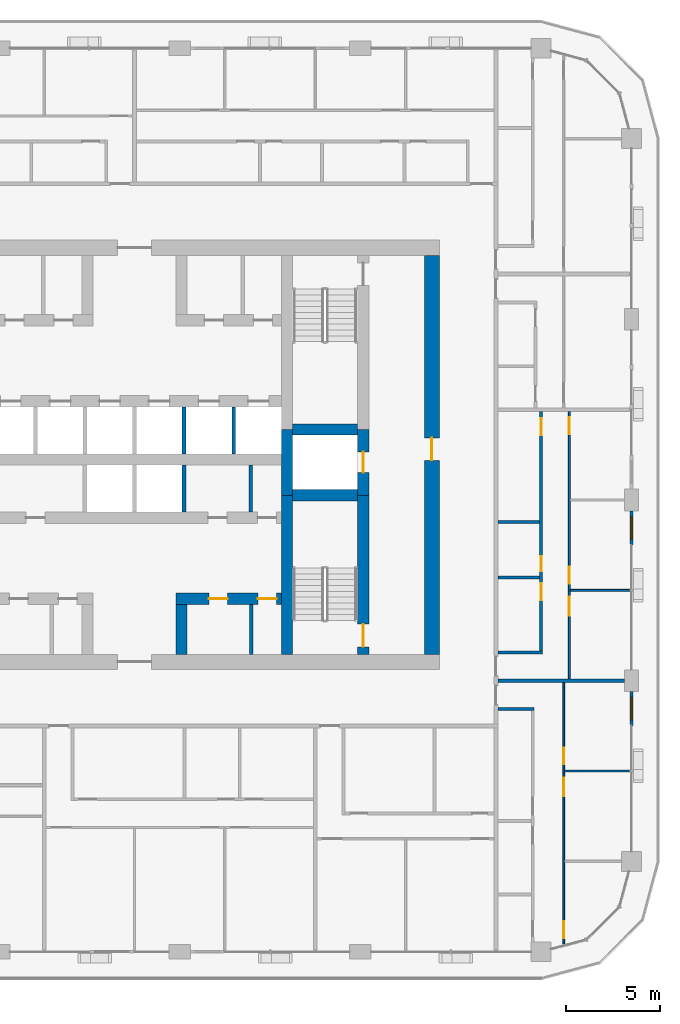
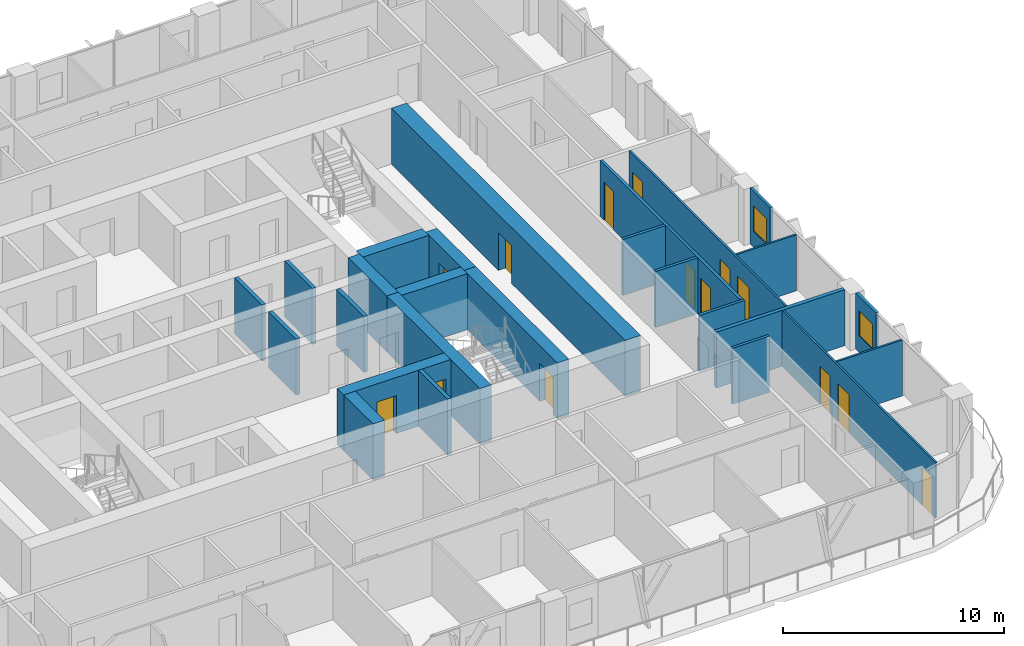
# One storey, part 12 of 22: 26 walls, 14 doors, 2 windows, 16 openings.
"""IFC4 building model written with IfcOpenShell, lengths in metres."""

import ifcopenshell
import ifcopenshell.guid

model = None  # the IFC model being written
_history = None  # IfcOwnerHistory: only IFC2X3 demands one
_inside = {}  # id of a spatial element -> (the spatial element, [elements in it])
_under = {}  # id of a project, library or spatial element -> (it, [spatial elements below it])
_declared = {}  # id of a project -> (the project, [libraries it declares])
_typed = {}  # id of a type object -> (the type object, [elements of that type])
_made_of = {}  # id of a material, layer set ... -> (it, [elements and type objects made of it])


def new_model(schema):
    """Start an empty IFC model of exactly this schema.

    Asked for "IFC4X3", IfcOpenShell would pick the latest addendum, in which some entities
    have other attributes; the version numbers below select the first issue.
    IFC2X3 requires an IfcOwnerHistory on every rooted entity: one is made here for all.
    """
    global model, _history
    if schema == "IFC4X3":
        model = ifcopenshell.file(schema_version=(4, 3, 0, 0))
    else:
        model = ifcopenshell.file(schema=schema)
    _inside.clear()
    _under.clear()
    _declared.clear()
    _typed.clear()
    _made_of.clear()
    _history = None
    if model.schema == "IFC2X3":
        org = make("IfcOrganization", Name="unknown")
        user = make(
            "IfcPersonAndOrganization",
            ThePerson=make("IfcPerson", FamilyName="unknown"),
            TheOrganization=org,
        )
        app = make(
            "IfcApplication",
            ApplicationDeveloper=org,
            Version="unknown",
            ApplicationFullName="unknown",
            ApplicationIdentifier="unknown",
        )
        _history = make(
            "IfcOwnerHistory",
            OwningUser=user,
            OwningApplication=app,
            ChangeAction="ADDED",
            CreationDate=0,
        )
    return model


def make(cls, **values):
    """One entity of the class cls with the attributes given. An attribute that is None is left unset."""
    return model.create_entity(
        cls, **{name: value for name, value in values.items() if value is not None}
    )


def rooted(cls, **values):
    """An entity with a GlobalId (a new one), such as an element, a storey or a relation."""
    return make(cls, GlobalId=ifcopenshell.guid.new(), OwnerHistory=_history, **values)


def si_unit(unit_type, name, prefix=None):
    """IfcSIUnit, for example si_unit("LENGTHUNIT", "METRE", prefix="MILLI")."""
    return make("IfcSIUnit", UnitType=unit_type, Prefix=prefix, Name=name)


def assignment(units):
    """IfcUnitAssignment: the units of a project."""
    return None if units is None else make("IfcUnitAssignment", Units=units)


def point(xyz):
    """IfcCartesianPoint."""
    return None if xyz is None else make("IfcCartesianPoint", Coordinates=xyz)


def direction(xyz):
    """IfcDirection."""
    return None if xyz is None else make("IfcDirection", DirectionRatios=xyz)


def frame(location, z_axis=None, x_axis=None):
    """IfcAxis2Placement3D, a coordinate frame: its origin and axes. An axis left out is left unset."""
    return make(
        "IfcAxis2Placement3D",
        Location=point(location),
        Axis=direction(z_axis),
        RefDirection=direction(x_axis),
    )


def frame_2d(location, x_axis=None):
    """IfcAxis2Placement2D, a coordinate frame in the plane: its origin and x axis."""
    return make(
        "IfcAxis2Placement2D", Location=point(location), RefDirection=direction(x_axis)
    )


def origin():
    """The frame at (0, 0, 0) with its axes left unset."""
    return frame((0.0, 0.0, 0.0))


def place(relative_to, where):
    """IfcLocalPlacement: puts the frame where relative to a parent placement (None: the world)."""
    return make(
        "IfcLocalPlacement", PlacementRelTo=relative_to, RelativePlacement=where
    )


def context(
    kind, dimensions, precision=None, world=None, true_north=None, identifier=None
):
    """IfcGeometricRepresentationContext, for example the 3D "Model" context."""
    return make(
        "IfcGeometricRepresentationContext",
        ContextIdentifier=identifier,
        ContextType=kind,
        CoordinateSpaceDimension=dimensions,
        Precision=precision,
        WorldCoordinateSystem=world,
        TrueNorth=true_north,
    )


def subcontext(parent, identifier, kind, view, scale=None):
    """IfcGeometricRepresentationSubContext, for example "Body" below "Model"."""
    return make(
        "IfcGeometricRepresentationSubContext",
        ContextIdentifier=identifier,
        ContextType=kind,
        ParentContext=parent,
        TargetScale=scale,
        TargetView=view,
    )


def project(units=None, contexts=None):
    """IfcProject with its units and contexts."""
    return rooted(
        "IfcProject",
        Name="project",
        RepresentationContexts=contexts,
        UnitsInContext=assignment(units),
    )


def spatial(cls, under=None, at=None, **own):
    """A site, building, storey or space (cls), placed at a placement, below another one or the project."""
    s = rooted(cls, ObjectPlacement=at, **own)
    if under is not None:
        _under.setdefault(under.id(), (under, []))[1].append(s)
    return s


def profile(cls, at=None, kind="AREA", **sizes):
    """A parametric profile (cls). Its sizes go by their IFC names, for example OverallWidth=200.0."""
    return make(cls, ProfileType=kind, Position=at, **sizes)


def rectangle(**sizes):
    """IfcRectangleProfileDef."""
    return profile("IfcRectangleProfileDef", **sizes)


def extrude(swept, where, along, depth):
    """IfcExtrudedAreaSolid: the profile swept, set in the frame where, extruded along a direction by depth."""
    return make(
        "IfcExtrudedAreaSolid",
        SweptArea=swept,
        Position=where,
        ExtrudedDirection=direction(along),
        Depth=depth,
    )


def shape(context_of_items, identifier, shape_type, items):
    """IfcShapeRepresentation: the items that make up one representation, for example the "Body"."""
    return make(
        "IfcShapeRepresentation",
        ContextOfItems=context_of_items,
        RepresentationIdentifier=identifier,
        RepresentationType=shape_type,
        Items=items,
    )


def material(Name=None, Category=None):
    """IfcMaterial."""
    return make("IfcMaterial", Name=Name, Category=Category)


def layer(
    of_material, thickness, ventilated=None, Name=None, Category=None, Priority=None
):
    """IfcMaterialLayer: one layer of a wall or slab, of a material (None: an air gap)."""
    return make(
        "IfcMaterialLayer",
        Material=of_material,
        LayerThickness=thickness,
        IsVentilated=ventilated,
        Name=Name,
        Category=Category,
        Priority=Priority,
    )


def layer_set(layers, Name=None):
    """IfcMaterialLayerSet."""
    return make("IfcMaterialLayerSet", MaterialLayers=layers, LayerSetName=Name)


def made_of(thing, what):
    """Note that an element or type object is made of a material, layer set ...; save() writes the relation."""
    if what is not None:
        _made_of.setdefault(what.id(), (what, []))[1].append(thing)
    return thing


def type_object(cls, material=None, **own):
    """A type object (cls), such as IfcWallType, which elements share."""
    return made_of(rooted(cls, **own), material)


def element(
    cls,
    number,
    at=None,
    inside=None,
    cuts=None,
    type_object=None,
    material=None,
    context=None,
    identifier="Body",
    shape_type=None,
    held_by="IfcProductDefinitionShape",
    body=None,
    shapes=None,
    **own,
):
    """One element of the class cls, such as IfcWall. Its Tag is "e" and its number.

    at: its placement. inside: the storey or other place that contains it. cuts: it is an
    opening in that element (IfcRelVoidsElement). A single representation is given by context,
    identifier, shape_type and body (its items); several are given by shapes. held_by: the class
    of the entity that holds the representations. save() writes the other relations.
    """
    e = rooted(cls, Tag="e%d" % number, ObjectPlacement=at, **own)
    if body is not None:
        shapes = [shape(context, identifier, shape_type, body)]
    if shapes is not None:
        e.Representation = make(held_by, Representations=shapes)
    if inside is not None:
        _inside.setdefault(inside.id(), (inside, []))[1].append(e)
    if cuts is not None:
        rooted(
            "IfcRelVoidsElement", RelatingBuildingElement=cuts, RelatedOpeningElement=e
        )
    if type_object is not None:
        _typed.setdefault(type_object.id(), (type_object, []))[1].append(e)
    return made_of(e, material)


def fill(opening, filler):
    """IfcRelFillsElement: the door or window that sits in an opening."""
    return rooted(
        "IfcRelFillsElement",
        RelatingOpeningElement=opening,
        RelatedBuildingElement=filler,
    )


def aggregate(whole, parts):
    """IfcRelAggregates: a whole, such as a stair, and the parts it consists of."""
    return rooted("IfcRelAggregates", RelatingObject=whole, RelatedObjects=parts)


def save(model, path):
    """Write the relations noted so far, then the file.

    IfcRelAggregates (storeys below a building ...), IfcRelContainedInSpatialStructure (elements
    in a storey), IfcRelDefinesByType, IfcRelAssociatesMaterial and IfcRelDeclares: one each for
    every whole, place, type object, material and project.
    """
    for whole, parts in _under.values():
        aggregate(whole, parts)
    for where, things in _inside.values():
        rooted(
            "IfcRelContainedInSpatialStructure",
            RelatedElements=things,
            RelatingStructure=where,
        )
    for kind, things in _typed.values():
        rooted("IfcRelDefinesByType", RelatedObjects=things, RelatingType=kind)
    for what, things in _made_of.values():
        rooted("IfcRelAssociatesMaterial", RelatedObjects=things, RelatingMaterial=what)
    for by, libraries in _declared.values():
        rooted("IfcRelDeclares", RelatingContext=by, RelatedDefinitions=libraries)
    model.write(path)


model = new_model("IFC4")

# Units and contexts
model_context = context("Model", 3, precision=1e-05, world=origin(), true_north=direction((0.0, 1.0)))
body_context = subcontext(model_context, "Body", "Model", "MODEL_VIEW")
ifc_project = project(units=[si_unit("LENGTHUNIT", "METRE"), si_unit("AREAUNIT", "SQUARE_METRE"), si_unit("VOLUMEUNIT", "CUBIC_METRE"), si_unit("PLANEANGLEUNIT", "RADIAN"), si_unit("MASSUNIT", "GRAM", prefix="KILO")], contexts=[model_context])

# Site, building, storey
site_placement = place(None, origin())
site = spatial("IfcSite", under=ifc_project, at=site_placement, CompositionType="ELEMENT")
building_placement = place(site_placement, origin())
building = spatial("IfcBuilding", under=site, at=building_placement, Name="Madar Terraces", CompositionType="ELEMENT")
storey_placement = place(building_placement, frame((0.0, 0.0, 170.0)))
storey = spatial("IfcBuildingStorey", under=building, at=storey_placement, Name="L44", CompositionType="ELEMENT", Elevation=170.0)

# Walls
ifc_material_1 = material(Name="Concrete C70/85", Category="concrete")
ifc_layer_1 = layer(ifc_material_1, 0.60009765625)
ifc_layer_set_1 = layer_set([ifc_layer_1], Name="Concrete C70/85 (CIW3 RC wall 600)")
wall_type_1 = type_object("IfcWallType", Name="CIW3 RC wall 600", PredefinedType="SHEAR", material=ifc_layer_set_1)
wall_1_placement = place(storey_placement, frame((39.300048828125, 15.800048828125, 0.0), z_axis=(0.0, 0.0, 1.0), x_axis=(0.0, 1.0, 0.0)))
element("IfcWall", 1, at=wall_1_placement, inside=storey, type_object=wall_type_1, Name="CORE SHAFT WALL", PredefinedType="SHEAR", context=body_context, shape_type="SweptSolid", body=[
    extrude(rectangle(XDim=8.449951171875, YDim=0.60009765625, at=frame_2d((4.22509765625, 0.0))), origin(), (0.0, 0.0, 1.0), 3.10009765625),
])
wall_2_placement = place(storey_placement, frame((39.300048828125, 24.25, 0.0), z_axis=(0.0, 0.0, 1.0), x_axis=(0.0, 1.0, 0.0)))
element("IfcWall", 2, at=wall_2_placement, inside=storey, type_object=wall_type_1, Name="CORE SHAFT WALL", PredefinedType="SHEAR", context=body_context, shape_type="SweptSolid", body=[
    extrude(rectangle(XDim=3.5, YDim=0.60009765625, at=frame_2d((1.75, 0.0))), origin(), (0.0, 0.0, 1.0), 3.10009765625),
])

# Wall, opening, door
wall_3_placement = place(storey_placement, frame((43.35009765625, 15.800048828125, 0.0), z_axis=(0.0, 0.0, 1.0), x_axis=(0.0, 1.0, 0.0)))
wall_3 = element("IfcWall", 3, at=wall_3_placement, inside=storey, type_object=wall_type_1, Name="CORE SHAFT WALL", PredefinedType="SHEAR", context=body_context, shape_type="SweptSolid", body=[
    extrude(rectangle(XDim=8.449951171875, YDim=0.60009765625, at=frame_2d((4.22509765625, 0.0))), origin(), (0.0, 0.0, 1.0), 3.10009765625),
])
opening_1_placement = place(wall_3_placement, frame((0.39990234375, 0.0, 0.0)))
opening_1 = element("IfcOpeningElement", 4, at=opening_1_placement, cuts=wall_3, Name="Opening SD1", PredefinedType="OPENING", context=body_context, shape_type="SweptSolid", body=[
    extrude(rectangle(XDim=1.199951171875, YDim=2.10009765625, at=frame_2d((0.60009765625, 1.050048828125))), frame((0.0, 0.31005859375, 0.0), z_axis=(0.0, -1.0, 0.0), x_axis=(1.0, 0.0, 0.0)), (0.0, 0.0, 1.0), 0.6201171875),
])
ifc_material_2 = material(Name="Steel door leaf", Category="steel")
door_type_1 = type_object("IfcDoorType", Name="Stair door 1200 x 2100", OperationType="NOTDEFINED", PredefinedType="DOOR", material=ifc_material_2)
door_1_placement = place(opening_1_placement, origin())
door_1 = element("IfcDoor", 5, at=door_1_placement, inside=storey, type_object=door_type_1, Name="STAIR DOOR", OperationType="SINGLE_SWING_LEFT", OverallHeight=2.10009765625, OverallWidth=1.199951171875, PredefinedType="DOOR", context=body_context, shape_type="SweptSolid", body=[
    extrude(rectangle(XDim=1.199951171875, YDim=2.10009765625, at=frame_2d((0.60009765625, 1.050048828125))), frame((0.0, 0.02490234375, 0.0), z_axis=(0.0, -1.0, 0.0), x_axis=(1.0, 0.0, 0.0)), (0.0, 0.0, 1.0), 0.050048828125),
])
fill(opening_1, door_1)

wall_4_placement = place(storey_placement, frame((43.35009765625, 24.25, 0.0), z_axis=(0.0, 0.0, 1.0), x_axis=(0.0, 1.0, 0.0)))
wall_4 = element("IfcWall", 6, at=wall_4_placement, inside=storey, type_object=wall_type_1, Name="CORE SHAFT WALL", PredefinedType="SHEAR", context=body_context, shape_type="SweptSolid", body=[
    extrude(rectangle(XDim=3.5, YDim=0.60009765625, at=frame_2d((1.75, 0.0))), origin(), (0.0, 0.0, 1.0), 3.10009765625),
])
opening_2_placement = place(wall_4_placement, frame((1.199951171875, 0.0, 0.0)))
opening_2 = element("IfcOpeningElement", 7, at=opening_2_placement, cuts=wall_4, Name="Opening LD", PredefinedType="OPENING", context=body_context, shape_type="SweptSolid", body=[
    extrude(rectangle(XDim=1.10009765625, YDim=2.10009765625, at=frame_2d((0.550048828125, 1.050048828125))), frame((0.0, 0.31005859375, 0.0), z_axis=(0.0, -1.0, 0.0), x_axis=(1.0, 0.0, 0.0)), (0.0, 0.0, 1.0), 0.6201171875),
])
ifc_material_3 = material(Name="Stainless steel panel", Category="steel")
door_type_2 = type_object("IfcDoorType", Name="Lift landing door 1100 x 2100", OperationType="DOUBLE_DOOR_SLIDING", PredefinedType="DOOR", material=ifc_material_3)
door_2_placement = place(opening_2_placement, origin())
door_2 = element("IfcDoor", 8, at=door_2_placement, inside=storey, type_object=door_type_2, Name="LIFT LANDING DOOR", OperationType="DOUBLE_DOOR_SLIDING", OverallHeight=2.10009765625, OverallWidth=1.10009765625, PredefinedType="DOOR", context=body_context, shape_type="SweptSolid", body=[
    extrude(rectangle(XDim=1.10009765625, YDim=2.10009765625, at=frame_2d((0.550048828125, 1.050048828125))), frame((0.0, 0.02490234375, 0.0), z_axis=(0.0, -1.0, 0.0), x_axis=(1.0, 0.0, 0.0)), (0.0, 0.0, 1.0), 0.050048828125),
])
fill(opening_2, door_2)

# Walls
for number, where, z_axis, x_axis, name in (
    (9, (39.60009765625, 24.25, 0.0), (0.0, 0.0, 1.0), (1.0, 0.0, 0.0), "CORE SHAFT WALL"),
    (10, (39.60009765625, 27.75, 0.0), (0.0, 0.0, 1.0), (1.0, 0.0, 0.0), "CORE SHAFT WALL"),
):
    element("IfcWall", number, at=place(storey_placement, frame(where, z_axis=z_axis, x_axis=x_axis)), inside=storey, type_object=wall_type_1, Name=name, PredefinedType="SHEAR", context=body_context, shape_type="SweptSolid", body=[
        extrude(rectangle(XDim=3.449951171875, YDim=0.60009765625, at=frame_2d((1.72509765625, 0.0))), origin(), (0.0, 0.0, 1.0), 3.10009765625),
    ])

# Wall, openings, doors
wall_5_placement = place(storey_placement, frame((33.39990234375, 18.75, 0.0), z_axis=(0.0, 0.0, 1.0), x_axis=(1.0, 0.0, 0.0)))
wall_5 = element("IfcWall", 11, at=wall_5_placement, inside=storey, type_object=wall_type_1, Name="CORE SHAFT WALL", PredefinedType="SHEAR", context=body_context, shape_type="SweptSolid", body=[
    extrude(rectangle(XDim=5.60009765625, YDim=0.60009765625, at=frame_2d((2.800048828125, 0.0))), origin(), (0.0, 0.0, 1.0), 3.10009765625),
])
opening_3_placement = place(wall_5_placement, frame((1.75, 0.0, 0.0)))
opening_3 = element("IfcOpeningElement", 12, at=opening_3_placement, cuts=wall_5, Name="Opening KD2", PredefinedType="OPENING", context=body_context, shape_type="SweptSolid", body=[
    extrude(rectangle(XDim=1.0, YDim=2.10009765625, at=frame_2d((0.5, 1.050048828125))), frame((0.0, 0.31005859375, 0.0), z_axis=(0.0, -1.0, 0.0), x_axis=(1.0, 0.0, 0.0)), (0.0, 0.0, 1.0), 0.6201171875),
])
opening_4_placement = place(wall_5_placement, frame((4.35009765625, 0.0, 0.0)))
opening_4 = element("IfcOpeningElement", 13, at=opening_4_placement, cuts=wall_5, Name="Opening KD2", PredefinedType="OPENING", context=body_context, shape_type="SweptSolid", body=[
    extrude(rectangle(XDim=1.0, YDim=2.10009765625, at=frame_2d((0.5, 1.050048828125))), frame((0.0, 0.31005859375, 0.0), z_axis=(0.0, -1.0, 0.0), x_axis=(1.0, 0.0, 0.0)), (0.0, 0.0, 1.0), 0.6201171875),
])
ifc_material_4 = material(Name="Steel door leaf", Category="steel")
door_type_3 = type_object("IfcDoorType", Name="Service room door 1000 x 2100", OperationType="NOTDEFINED", PredefinedType="DOOR", material=ifc_material_4)
door_3_placement = place(opening_3_placement, origin())
door_3 = element("IfcDoor", 14, at=door_3_placement, inside=storey, type_object=door_type_3, Name="SERVICE ROOM DOOR", OperationType="SINGLE_SWING_RIGHT", OverallHeight=2.10009765625, OverallWidth=1.0, PredefinedType="DOOR", context=body_context, shape_type="SweptSolid", body=[
    extrude(rectangle(XDim=1.0, YDim=2.10009765625, at=frame_2d((0.5, 1.050048828125))), frame((0.0, 0.02490234375, 0.0), z_axis=(0.0, -1.0, 0.0), x_axis=(1.0, 0.0, 0.0)), (0.0, 0.0, 1.0), 0.050048828125),
])
fill(opening_3, door_3)
door_4_placement = place(opening_4_placement, origin())
door_4 = element("IfcDoor", 15, at=door_4_placement, inside=storey, type_object=door_type_3, Name="SERVICE ROOM DOOR", OperationType="SINGLE_SWING_LEFT", OverallHeight=2.10009765625, OverallWidth=1.0, PredefinedType="DOOR", context=body_context, shape_type="SweptSolid", body=[
    extrude(rectangle(XDim=1.0, YDim=2.10009765625, at=frame_2d((0.5, 1.050048828125))), frame((0.0, 0.02490234375, 0.0), z_axis=(0.0, -1.0, 0.0), x_axis=(1.0, 0.0, 0.0)), (0.0, 0.0, 1.0), 0.050048828125),
])
fill(opening_4, door_4)

# Wall
wall_6_placement = place(storey_placement, frame((33.699951171875, 15.800048828125, 0.0), z_axis=(0.0, 0.0, 1.0), x_axis=(0.0, 1.0, 0.0)))
element("IfcWall", 16, at=wall_6_placement, inside=storey, type_object=wall_type_1, Name="CORE SHAFT WALL", PredefinedType="SHEAR", context=body_context, shape_type="SweptSolid", body=[
    extrude(rectangle(XDim=2.64990234375, YDim=0.60009765625, at=frame_2d((1.324951171875, 0.0))), origin(), (0.0, 0.0, 1.0), 3.10009765625),
])

# Wall, opening, door
ifc_material_5 = material(Name="Concrete C70/85", Category="concrete")
ifc_layer_2 = layer(ifc_material_5, 0.800048828125)
ifc_layer_set_2 = layer_set([ifc_layer_2], Name="Concrete C70/85 (CRW3 RC wall 800)")
wall_type_2 = type_object("IfcWallType", Name="CRW3 RC wall 800", PredefinedType="SHEAR", material=ifc_layer_set_2)
wall_7_placement = place(storey_placement, frame((47.0, 15.800048828125, 0.0), z_axis=(0.0, 0.0, 1.0), x_axis=(0.0, 1.0, 0.0)))
wall_7 = element("IfcWall", 17, at=wall_7_placement, inside=storey, type_object=wall_type_2, Name="CORE OUTER WALL", PredefinedType="SHEAR", context=body_context, shape_type="SweptSolid", body=[
    extrude(rectangle(XDim=21.199951171875, YDim=0.800048828125, at=frame_2d((10.60009765625, 0.0))), origin(), (0.0, 0.0, 1.0), 3.10009765625),
])
opening_5_placement = place(wall_7_placement, frame((10.300048828125, 0.0, 0.0)))
opening_5 = element("IfcOpeningElement", 18, at=opening_5_placement, cuts=wall_7, Name="Opening SD1", PredefinedType="OPENING", context=body_context, shape_type="SweptSolid", body=[
    extrude(rectangle(XDim=1.199951171875, YDim=2.10009765625, at=frame_2d((0.60009765625, 1.050048828125))), frame((0.0, 0.409912109375, 0.0), z_axis=(0.0, -1.0, 0.0), x_axis=(1.0, 0.0, 0.0)), (0.0, 0.0, 1.0), 0.820068359375),
])
door_5_placement = place(opening_5_placement, origin())
door_5 = element("IfcDoor", 19, at=door_5_placement, inside=storey, type_object=door_type_1, Name="STAIR DOOR", OperationType="SINGLE_SWING_RIGHT", OverallHeight=2.10009765625, OverallWidth=1.199951171875, PredefinedType="DOOR", context=body_context, shape_type="SweptSolid", body=[
    extrude(rectangle(XDim=1.199951171875, YDim=2.10009765625, at=frame_2d((0.60009765625, 1.050048828125))), frame((0.0, 0.02490234375, 0.0), z_axis=(0.0, -1.0, 0.0), x_axis=(1.0, 0.0, 0.0)), (0.0, 0.0, 1.0), 0.050048828125),
])
fill(opening_5, door_5)

# Walls
ifc_material_6 = material(Name="Masonry blockwork", Category="masonry")
ifc_layer_3 = layer(ifc_material_6, 0.199951171875)
ifc_layer_set_3 = layer_set([ifc_layer_3], Name="Core partition 200 blockwork")
wall_type_3 = type_object("IfcWallType", Name="Core partition 200 blockwork", PredefinedType="PARTITIONING", material=ifc_layer_set_3)
wall_8_placement = place(storey_placement, frame((37.378662109375, 23.35009765625, 0.0), z_axis=(0.0, 0.0, 1.0), x_axis=(0.0, 1.0, 0.0)))
element("IfcWall", 20, at=wall_8_placement, inside=storey, type_object=wall_type_3, Name="SERVICE ROOM PARTITION", PredefinedType="PARTITIONING", context=body_context, shape_type="SweptSolid", body=[
    extrude(rectangle(XDim=2.5, YDim=0.199951171875, at=frame_2d((1.25, 0.0))), origin(), (0.0, 0.0, 1.0), 3.10009765625),
])
wall_9_placement = place(storey_placement, frame((37.39990234375, 15.800048828125, 0.0), z_axis=(0.0, 0.0, 1.0), x_axis=(0.0, 1.0, 0.0)))
element("IfcWall", 21, at=wall_9_placement, inside=storey, type_object=wall_type_3, Name="SERVICE ROOM PARTITION", PredefinedType="PARTITIONING", context=body_context, shape_type="SweptSolid", body=[
    extrude(rectangle(XDim=2.64990234375, YDim=0.199951171875, at=frame_2d((1.324951171875, 0.0))), origin(), (0.0, 0.0, 1.0), 3.10009765625),
])
ifc_material_7 = material(Name="Concrete C40/50", Category="concrete")
ifc_layer_4 = layer(ifc_material_7, 0.199951171875)
ifc_layer_set_4 = layer_set([ifc_layer_4], Name="Core shaft dividing wall 200 C40/50")
wall_type_4 = type_object("IfcWallType", Name="Core shaft dividing wall 200 C40/50", PredefinedType="SOLIDWALL", material=ifc_layer_set_4)
for number, where, z_axis, x_axis, name in (
    (22, (33.833251953125, 23.35009765625, 0.0), (0.0, 0.0, 1.0), (0.0, 1.0, 0.0), "SHAFT DIVIDING WALL"),
    (23, (33.833251953125, 26.449951171875, 0.0), (0.0, 0.0, 1.0), (0.0, 1.0, 0.0), "SHAFT DIVIDING WALL"),
    (24, (36.466552734375, 26.449951171875, 0.0), (0.0, 0.0, 1.0), (0.0, 1.0, 0.0), "SHAFT DIVIDING WALL"),
):
    element("IfcWall", number, at=place(storey_placement, frame(where, z_axis=z_axis, x_axis=x_axis)), inside=storey, type_object=wall_type_4, Name=name, PredefinedType="SOLIDWALL", context=body_context, shape_type="SweptSolid", body=[
        extrude(rectangle(XDim=2.5, YDim=0.199951171875, at=frame_2d((1.25, 0.0))), origin(), (0.0, 0.0, 1.0), 3.10009765625),
    ])

# Wall, opening, window
ifc_material_8 = material(Name="Aluminium composite panel, black, over insulated backing", Category="aluminium")
ifc_layer_5 = layer(ifc_material_8, 0.14990234375)
ifc_layer_set_5 = layer_set([ifc_layer_5], Name="Facade bay panel 150")
wall_type_5 = type_object("IfcWallType", Name="Facade bay panel 150", PredefinedType="SOLIDWALL", material=ifc_layer_set_5)
wall_10_placement = place(storey_placement, frame((57.60009765625, 12.0, 0.0), z_axis=(0.0, 0.0, 1.0), x_axis=(0.0, 1.0, 0.0)))
wall_10 = element("IfcWall", 25, at=wall_10_placement, inside=storey, type_object=wall_type_5, Name="Facade bay panel", PredefinedType="SOLIDWALL", context=body_context, shape_type="SweptSolid", body=[
    extrude(rectangle(XDim=1.824951171875, YDim=0.14990234375, at=frame_2d((0.91259765625, 0.0))), origin(), (0.0, 0.0, 1.0), 3.10009765625),
])
opening_6_placement = place(wall_10_placement, frame((0.3125, 0.0, 0.89990234375)))
opening_6 = element("IfcOpeningElement", 26, at=opening_6_placement, cuts=wall_10, Name="Opening W1", PredefinedType="OPENING", context=body_context, shape_type="SweptSolid", body=[
    extrude(rectangle(XDim=1.199951171875, YDim=1.39990234375, at=frame_2d((0.60009765625, 0.699951171875))), frame((0.0, 0.0849609375, 0.0), z_axis=(0.0, -1.0, 0.0), x_axis=(1.0, 0.0, 0.0)), (0.0, 0.0, 1.0), 0.169921875),
])
ifc_material_9 = material(Name="Glass, clear, with black aluminium frame", Category="aluminium")
window_type = type_object("IfcWindowType", Name="Vent window 1200 x 1400", PartitioningType="SINGLE_PANEL", PredefinedType="WINDOW", material=ifc_material_9)
window_1_placement = place(opening_6_placement, origin())
window_1 = element("IfcWindow", 27, at=window_1_placement, inside=storey, type_object=window_type, Name="Operable vent window", OverallHeight=1.39990234375, OverallWidth=1.199951171875, PartitioningType="SINGLE_PANEL", PredefinedType="WINDOW", context=body_context, shape_type="SweptSolid", body=[
    extrude(rectangle(XDim=1.199951171875, YDim=1.39990234375, at=frame_2d((0.60009765625, 0.699951171875))), frame((0.0, 0.030029296875, 0.0), z_axis=(0.0, -1.0, 0.0), x_axis=(1.0, 0.0, 0.0)), (0.0, 0.0, 1.0), 0.06005859375),
])
fill(opening_6, window_1)

wall_11_placement = place(storey_placement, frame((57.60009765625, 21.60009765625, 0.0), z_axis=(0.0, 0.0, 1.0), x_axis=(0.0, 1.0, 0.0)))
wall_11 = element("IfcWall", 28, at=wall_11_placement, inside=storey, type_object=wall_type_5, Name="Facade bay panel", PredefinedType="SOLIDWALL", context=body_context, shape_type="SweptSolid", body=[
    extrude(rectangle(XDim=1.824951171875, YDim=0.14990234375, at=frame_2d((0.91259765625, 0.0))), origin(), (0.0, 0.0, 1.0), 3.10009765625),
])
opening_7_placement = place(wall_11_placement, frame((0.3125, 0.0, 0.89990234375)))
opening_7 = element("IfcOpeningElement", 29, at=opening_7_placement, cuts=wall_11, Name="Opening W1", PredefinedType="OPENING", context=body_context, shape_type="SweptSolid", body=[
    extrude(rectangle(XDim=1.199951171875, YDim=1.39990234375, at=frame_2d((0.60009765625, 0.699951171875))), frame((0.0, 0.0849609375, 0.0), z_axis=(0.0, -1.0, 0.0), x_axis=(1.0, 0.0, 0.0)), (0.0, 0.0, 1.0), 0.169921875),
])
window_2_placement = place(opening_7_placement, origin())
window_2 = element("IfcWindow", 30, at=window_2_placement, inside=storey, type_object=window_type, Name="Operable vent window", OverallHeight=1.39990234375, OverallWidth=1.199951171875, PartitioningType="SINGLE_PANEL", PredefinedType="WINDOW", context=body_context, shape_type="SweptSolid", body=[
    extrude(rectangle(XDim=1.199951171875, YDim=1.39990234375, at=frame_2d((0.60009765625, 0.699951171875))), frame((0.0, 0.030029296875, 0.0), z_axis=(0.0, -1.0, 0.0), x_axis=(1.0, 0.0, 0.0)), (0.0, 0.0, 1.0), 0.06005859375),
])
fill(opening_7, window_2)

# Wall
ifc_material_10 = material(Name="Gypsum board on steel studs", Category="steel")
ifc_layer_6 = layer(ifc_material_10, 0.10009765625)
ifc_layer_set_6 = layer_set([ifc_layer_6], Name="Flat partition 100")
wall_type_6 = type_object("IfcWallType", Name="Flat partition 100", PredefinedType="PARTITIONING", material=ifc_layer_set_6)
wall_12_placement = place(storey_placement, frame((54.050048828125, 9.60009765625, 0.0), z_axis=(0.0, 0.0, 1.0), x_axis=(1.0, 0.0, 0.0)))
element("IfcWall", 31, at=wall_12_placement, inside=storey, type_object=wall_type_6, Name="Flat partition 100", PredefinedType="PARTITIONING", context=body_context, shape_type="SweptSolid", body=[
    extrude(rectangle(XDim=3.449951171875, YDim=0.10009765625, at=frame_2d((1.72509765625, 0.0))), origin(), (0.0, 0.0, 1.0), 3.10009765625),
])

# Wall, openings, doors
wall_13_placement = place(storey_placement, frame((54.0, 14.300048828125, 0.0), z_axis=(0.0, 0.0, 1.0), x_axis=(0.0, -1.0, 0.0)))
wall_13 = element("IfcWall", 32, at=wall_13_placement, inside=storey, type_object=wall_type_6, Name="Flat partition 100", PredefinedType="PARTITIONING", context=body_context, shape_type="SweptSolid", body=[
    extrude(rectangle(XDim=13.878662109375, YDim=0.10009765625, at=frame_2d((6.939453125, 0.0))), origin(), (0.0, 0.0, 1.0), 3.10009765625),
])
opening_8_placement = place(wall_13_placement, frame((3.449951171875, 0.0, 0.0)))
opening_8 = element("IfcOpeningElement", 33, at=opening_8_placement, cuts=wall_13, Name="Opening D2", PredefinedType="OPENING", context=body_context, shape_type="SweptSolid", body=[
    extrude(rectangle(XDim=0.89990234375, YDim=2.10009765625, at=frame_2d((0.449951171875, 1.050048828125))), frame((0.0, 0.06005859375, 0.0), z_axis=(0.0, -1.0, 0.0), x_axis=(1.0, 0.0, 0.0)), (0.0, 0.0, 1.0), 0.1201171875),
])
opening_9_placement = place(wall_13_placement, frame((5.050048828125, 0.0, 0.0)))
opening_9 = element("IfcOpeningElement", 34, at=opening_9_placement, cuts=wall_13, Name="Opening D3", PredefinedType="OPENING", context=body_context, shape_type="SweptSolid", body=[
    extrude(rectangle(XDim=1.0, YDim=2.10009765625, at=frame_2d((0.5, 1.050048828125))), frame((0.0, 0.06005859375, 0.0), z_axis=(0.0, -1.0, 0.0), x_axis=(1.0, 0.0, 0.0)), (0.0, 0.0, 1.0), 0.1201171875),
])
opening_10_placement = place(wall_13_placement, frame((12.678466796875, 0.0, 0.0)))
opening_10 = element("IfcOpeningElement", 35, at=opening_10_placement, cuts=wall_13, Name="Opening D2", PredefinedType="OPENING", context=body_context, shape_type="SweptSolid", body=[
    extrude(rectangle(XDim=0.89990234375, YDim=2.10009765625, at=frame_2d((0.449951171875, 1.050048828125))), frame((0.0, 0.06005859375, 0.0), z_axis=(0.0, -1.0, 0.0), x_axis=(1.0, 0.0, 0.0)), (0.0, 0.0, 1.0), 0.1201171875),
])
ifc_material_11 = material(Name="Timber door leaf", Category="wood")
door_type_4 = type_object("IfcDoorType", Name="Flat living room door 1000", OperationType="NOTDEFINED", PredefinedType="DOOR", material=ifc_material_11)
door_6_placement = place(opening_9_placement, origin())
door_6 = element("IfcDoor", 36, at=door_6_placement, inside=storey, type_object=door_type_4, Name="Flat living room door 1000", OperationType="SINGLE_SWING_LEFT", OverallHeight=2.10009765625, OverallWidth=1.0, PredefinedType="DOOR", context=body_context, shape_type="SweptSolid", body=[
    extrude(rectangle(XDim=1.0, YDim=2.10009765625, at=frame_2d((0.5, 1.050048828125))), frame((0.0, 0.02490234375, 0.0), z_axis=(0.0, -1.0, 0.0), x_axis=(1.0, 0.0, 0.0)), (0.0, 0.0, 1.0), 0.050048828125),
])
fill(opening_9, door_6)
ifc_material_12 = material(Name="Timber door leaf", Category="wood")
door_type_5 = type_object("IfcDoorType", Name="Flat room door 900", OperationType="NOTDEFINED", PredefinedType="DOOR", material=ifc_material_12)
door_7_placement = place(opening_8_placement, origin())
door_7 = element("IfcDoor", 37, at=door_7_placement, inside=storey, type_object=door_type_5, Name="Flat room door 900", OperationType="SINGLE_SWING_RIGHT", OverallHeight=2.10009765625, OverallWidth=0.89990234375, PredefinedType="DOOR", context=body_context, shape_type="SweptSolid", body=[
    extrude(rectangle(XDim=0.89990234375, YDim=2.10009765625, at=frame_2d((0.449951171875, 1.050048828125))), frame((0.0, 0.02490234375, 0.0), z_axis=(0.0, -1.0, 0.0), x_axis=(1.0, 0.0, 0.0)), (0.0, 0.0, 1.0), 0.050048828125),
])
fill(opening_8, door_7)
door_8_placement = place(opening_10_placement, origin())
door_8 = element("IfcDoor", 38, at=door_8_placement, inside=storey, type_object=door_type_5, Name="Flat room door 900", OperationType="SINGLE_SWING_RIGHT", OverallHeight=2.10009765625, OverallWidth=0.89990234375, PredefinedType="DOOR", context=body_context, shape_type="SweptSolid", body=[
    extrude(rectangle(XDim=0.89990234375, YDim=2.10009765625, at=frame_2d((0.449951171875, 1.050048828125))), frame((0.0, 0.02490234375, 0.0), z_axis=(0.0, -1.0, 0.0), x_axis=(1.0, 0.0, 0.0)), (0.0, 0.0, 1.0), 0.050048828125),
])
fill(opening_10, door_8)

# Wall
wall_14_placement = place(storey_placement, frame((54.35009765625, 19.199951171875, 0.0), z_axis=(0.0, 0.0, 1.0), x_axis=(1.0, 0.0, 0.0)))
element("IfcWall", 39, at=wall_14_placement, inside=storey, type_object=wall_type_6, Name="Flat partition 100", PredefinedType="PARTITIONING", context=body_context, shape_type="SweptSolid", body=[
    extrude(rectangle(XDim=3.14990234375, YDim=0.10009765625, at=frame_2d((1.574951171875, 0.0))), origin(), (0.0, 0.0, 1.0), 3.10009765625),
])

# Wall, openings, doors
wall_15_placement = place(storey_placement, frame((54.300048828125, 28.699951171875, 0.0), z_axis=(0.0, 0.0, 1.0), x_axis=(0.0, -1.0, 0.0)))
wall_15 = element("IfcWall", 40, at=wall_15_placement, inside=storey, type_object=wall_type_6, Name="Flat partition 100", PredefinedType="PARTITIONING", context=body_context, shape_type="SweptSolid", body=[
    extrude(rectangle(XDim=14.199951171875, YDim=0.10009765625, at=frame_2d((7.10009765625, 0.0))), origin(), (0.0, 0.0, 1.0), 3.10009765625),
])
opening_11_placement = place(wall_15_placement, frame((9.85009765625, 0.0, 0.0)))
opening_11 = element("IfcOpeningElement", 41, at=opening_11_placement, cuts=wall_15, Name="Opening D3", PredefinedType="OPENING", context=body_context, shape_type="SweptSolid", body=[
    extrude(rectangle(XDim=1.0, YDim=2.10009765625, at=frame_2d((0.5, 1.050048828125))), frame((0.0, 0.06005859375, 0.0), z_axis=(0.0, -1.0, 0.0), x_axis=(1.0, 0.0, 0.0)), (0.0, 0.0, 1.0), 0.1201171875),
])
opening_12_placement = place(wall_15_placement, frame((8.25, 0.0, 0.0)))
opening_12 = element("IfcOpeningElement", 42, at=opening_12_placement, cuts=wall_15, Name="Opening D2", PredefinedType="OPENING", context=body_context, shape_type="SweptSolid", body=[
    extrude(rectangle(XDim=0.89990234375, YDim=2.10009765625, at=frame_2d((0.449951171875, 1.050048828125))), frame((0.0, 0.06005859375, 0.0), z_axis=(0.0, -1.0, 0.0), x_axis=(1.0, 0.0, 0.0)), (0.0, 0.0, 1.0), 0.1201171875),
])
opening_13_placement = place(wall_15_placement, frame((0.300048828125, 0.0, 0.0)))
opening_13 = element("IfcOpeningElement", 43, at=opening_13_placement, cuts=wall_15, Name="Opening D2", PredefinedType="OPENING", context=body_context, shape_type="SweptSolid", body=[
    extrude(rectangle(XDim=0.89990234375, YDim=2.10009765625, at=frame_2d((0.449951171875, 1.050048828125))), frame((0.0, 0.06005859375, 0.0), z_axis=(0.0, -1.0, 0.0), x_axis=(1.0, 0.0, 0.0)), (0.0, 0.0, 1.0), 0.1201171875),
])
door_9_placement = place(opening_11_placement, origin())
door_9 = element("IfcDoor", 44, at=door_9_placement, inside=storey, type_object=door_type_4, Name="Flat living room door 1000", OperationType="SINGLE_SWING_LEFT", OverallHeight=2.10009765625, OverallWidth=1.0, PredefinedType="DOOR", context=body_context, shape_type="SweptSolid", body=[
    extrude(rectangle(XDim=1.0, YDim=2.10009765625, at=frame_2d((0.5, 1.050048828125))), frame((0.0, 0.02490234375, 0.0), z_axis=(0.0, -1.0, 0.0), x_axis=(1.0, 0.0, 0.0)), (0.0, 0.0, 1.0), 0.050048828125),
])
fill(opening_11, door_9)
door_10_placement = place(opening_12_placement, origin())
door_10 = element("IfcDoor", 45, at=door_10_placement, inside=storey, type_object=door_type_5, Name="Flat room door 900", OperationType="SINGLE_SWING_RIGHT", OverallHeight=2.10009765625, OverallWidth=0.89990234375, PredefinedType="DOOR", context=body_context, shape_type="SweptSolid", body=[
    extrude(rectangle(XDim=0.89990234375, YDim=2.10009765625, at=frame_2d((0.449951171875, 1.050048828125))), frame((0.0, 0.02490234375, 0.0), z_axis=(0.0, -1.0, 0.0), x_axis=(1.0, 0.0, 0.0)), (0.0, 0.0, 1.0), 0.050048828125),
])
fill(opening_12, door_10)
door_11_placement = place(opening_13_placement, origin())
door_11 = element("IfcDoor", 46, at=door_11_placement, inside=storey, type_object=door_type_5, Name="Flat room door 900", OperationType="SINGLE_SWING_LEFT", OverallHeight=2.10009765625, OverallWidth=0.89990234375, PredefinedType="DOOR", context=body_context, shape_type="SweptSolid", body=[
    extrude(rectangle(XDim=0.89990234375, YDim=2.10009765625, at=frame_2d((0.449951171875, 1.050048828125))), frame((0.0, 0.02490234375, 0.0), z_axis=(0.0, -1.0, 0.0), x_axis=(1.0, 0.0, 0.0)), (0.0, 0.0, 1.0), 0.050048828125),
])
fill(opening_13, door_11)

# Walls
ifc_material_13 = material(Name="Lightweight blockwork", Category="masonry")
ifc_layer_7 = layer(ifc_material_13, 0.199951171875)
ifc_layer_set_7 = layer_set([ifc_layer_7], Name="Flat party and entrance wall 200")
wall_type_7 = type_object("IfcWallType", Name="Flat party and entrance wall 200", PredefinedType="PARTITIONING", material=ifc_layer_set_7)
wall_16_placement = place(storey_placement, frame((50.5, 14.39990234375, 0.0), z_axis=(0.0, 0.0, 1.0), x_axis=(1.0, 0.0, 0.0)))
element("IfcWall", 47, at=wall_16_placement, inside=storey, type_object=wall_type_7, Name="Flat party and entrance wall 200", PredefinedType="PARTITIONING", context=body_context, shape_type="SweptSolid", body=[
    extrude(rectangle(XDim=6.72509765625, YDim=0.199951171875, at=frame_2d((3.362548828125, 0.0))), origin(), (0.0, 0.0, 1.0), 3.10009765625),
])
ifc_material_14 = material(Name="Lightweight blockwork", Category="masonry")
ifc_layer_8 = layer(ifc_material_14, 0.14990234375)
ifc_layer_set_8 = layer_set([ifc_layer_8], Name="Flat wet-room partition 150")
wall_type_8 = type_object("IfcWallType", Name="Flat wet-room partition 150", PredefinedType="PARTITIONING", material=ifc_layer_set_8)
wall_17_placement = place(storey_placement, frame((50.5, 12.89990234375, 0.0), z_axis=(0.0, 0.0, 1.0), x_axis=(1.0, 0.0, 0.0)))
element("IfcWall", 48, at=wall_17_placement, inside=storey, type_object=wall_type_8, Name="Flat wet-room partition 150", PredefinedType="PARTITIONING", context=body_context, shape_type="SweptSolid", body=[
    extrude(rectangle(XDim=1.925048828125, YDim=0.14990234375, at=frame_2d((0.96240234375, 0.0))), origin(), (0.0, 0.0, 1.0), 3.10009765625),
])
for number, where, z_axis, x_axis, name in (
    (49, (50.5, 19.890380859375, 0.0), (0.0, 0.0, 1.0), (1.0, 0.0, 0.0), "Flat wet-room partition 150"),
    (50, (50.5, 22.826904296875, 0.0), (0.0, 0.0, 1.0), (1.0, 0.0, 0.0), "Flat wet-room partition 150"),
):
    element("IfcWall", number, at=place(storey_placement, frame(where, z_axis=z_axis, x_axis=x_axis)), inside=storey, type_object=wall_type_8, Name=name, PredefinedType="PARTITIONING", context=body_context, shape_type="SweptSolid", body=[
        extrude(rectangle(XDim=2.22509765625, YDim=0.14990234375, at=frame_2d((1.112548828125, 0.0))), origin(), (0.0, 0.0, 1.0), 3.10009765625),
    ])
wall_18_placement = place(storey_placement, frame((50.5, 15.89990234375, 0.0), z_axis=(0.0, 0.0, 1.0), x_axis=(1.0, 0.0, 0.0)))
element("IfcWall", 51, at=wall_18_placement, inside=storey, type_object=wall_type_8, Name="Flat wet-room partition 150", PredefinedType="PARTITIONING", context=body_context, shape_type="SweptSolid", body=[
    extrude(rectangle(XDim=2.375, YDim=0.14990234375, at=frame_2d((1.1875, 0.0))), origin(), (0.0, 0.0, 1.0), 3.10009765625),
])

# Wall, openings, doors
wall_19_placement = place(storey_placement, frame((52.800048828125, 15.97509765625, 0.0), z_axis=(0.0, 0.0, 1.0), x_axis=(0.0, 1.0, 0.0)))
wall_19 = element("IfcWall", 52, at=wall_19_placement, inside=storey, type_object=wall_type_8, Name="Flat wet-room partition 150", PredefinedType="PARTITIONING", context=body_context, shape_type="SweptSolid", body=[
    extrude(rectangle(XDim=12.724853515625, YDim=0.14990234375, at=frame_2d((6.3623046875, 0.0))), origin(), (0.0, 0.0, 1.0), 3.10009765625),
])
opening_14_placement = place(wall_19_placement, frame((2.6904296875, 0.0, 0.0)))
opening_14 = element("IfcOpeningElement", 53, at=opening_14_placement, cuts=wall_19, Name="Opening D5", PredefinedType="OPENING", context=body_context, shape_type="SweptSolid", body=[
    extrude(rectangle(XDim=0.89990234375, YDim=2.10009765625, at=frame_2d((0.449951171875, 1.050048828125))), frame((0.0, 0.0849609375, 0.0), z_axis=(0.0, -1.0, 0.0), x_axis=(1.0, 0.0, 0.0)), (0.0, 0.0, 1.0), 0.169921875),
])
opening_15_placement = place(wall_19_placement, frame((4.240478515625, 0.0, 0.0)))
opening_15 = element("IfcOpeningElement", 54, at=opening_15_placement, cuts=wall_19, Name="Opening D4", PredefinedType="OPENING", context=body_context, shape_type="SweptSolid", body=[
    extrude(rectangle(XDim=0.800048828125, YDim=2.10009765625, at=frame_2d((0.39990234375, 1.050048828125))), frame((0.0, 0.0849609375, 0.0), z_axis=(0.0, -1.0, 0.0), x_axis=(1.0, 0.0, 0.0)), (0.0, 0.0, 1.0), 0.169921875),
])
opening_16_placement = place(wall_19_placement, frame((11.47509765625, 0.0, 0.0)))
opening_16 = element("IfcOpeningElement", 55, at=opening_16_placement, cuts=wall_19, Name="Opening D2", PredefinedType="OPENING", context=body_context, shape_type="SweptSolid", body=[
    extrude(rectangle(XDim=0.89990234375, YDim=2.10009765625, at=frame_2d((0.449951171875, 1.050048828125))), frame((0.0, 0.0849609375, 0.0), z_axis=(0.0, -1.0, 0.0), x_axis=(1.0, 0.0, 0.0)), (0.0, 0.0, 1.0), 0.169921875),
])
ifc_material_15 = material(Name="Timber door leaf", Category="wood")
door_type_6 = type_object("IfcDoorType", Name="Flat accessible bathroom door 900", OperationType="NOTDEFINED", PredefinedType="DOOR", material=ifc_material_15)
door_12_placement = place(opening_14_placement, origin())
door_12 = element("IfcDoor", 56, at=door_12_placement, inside=storey, type_object=door_type_6, Name="Flat accessible bathroom door 900", OperationType="SINGLE_SWING_RIGHT", OverallHeight=2.10009765625, OverallWidth=0.89990234375, PredefinedType="DOOR", context=body_context, shape_type="SweptSolid", body=[
    extrude(rectangle(XDim=0.89990234375, YDim=2.10009765625, at=frame_2d((0.449951171875, 1.050048828125))), frame((0.0, 0.02490234375, 0.0), z_axis=(0.0, -1.0, 0.0), x_axis=(1.0, 0.0, 0.0)), (0.0, 0.0, 1.0), 0.050048828125),
])
fill(opening_14, door_12)
ifc_material_16 = material(Name="Timber door leaf", Category="wood")
door_type_7 = type_object("IfcDoorType", Name="Flat bathroom door 800", OperationType="NOTDEFINED", PredefinedType="DOOR", material=ifc_material_16)
door_13_placement = place(opening_15_placement, origin())
door_13 = element("IfcDoor", 57, at=door_13_placement, inside=storey, type_object=door_type_7, Name="Flat bathroom door 800", OperationType="SINGLE_SWING_LEFT", OverallHeight=2.10009765625, OverallWidth=0.800048828125, PredefinedType="DOOR", context=body_context, shape_type="SweptSolid", body=[
    extrude(rectangle(XDim=0.800048828125, YDim=2.10009765625, at=frame_2d((0.39990234375, 1.050048828125))), frame((0.0, 0.02490234375, 0.0), z_axis=(0.0, -1.0, 0.0), x_axis=(1.0, 0.0, 0.0)), (0.0, 0.0, 1.0), 0.050048828125),
])
fill(opening_15, door_13)
door_14_placement = place(opening_16_placement, origin())
door_14 = element("IfcDoor", 58, at=door_14_placement, inside=storey, type_object=door_type_5, Name="Flat room door 900", OperationType="SINGLE_SWING_RIGHT", OverallHeight=2.10009765625, OverallWidth=0.89990234375, PredefinedType="DOOR", context=body_context, shape_type="SweptSolid", body=[
    extrude(rectangle(XDim=0.89990234375, YDim=2.10009765625, at=frame_2d((0.449951171875, 1.050048828125))), frame((0.0, 0.02490234375, 0.0), z_axis=(0.0, -1.0, 0.0), x_axis=(1.0, 0.0, 0.0)), (0.0, 0.0, 1.0), 0.050048828125),
])
fill(opening_16, door_14)

save(model, "model.ifc")
